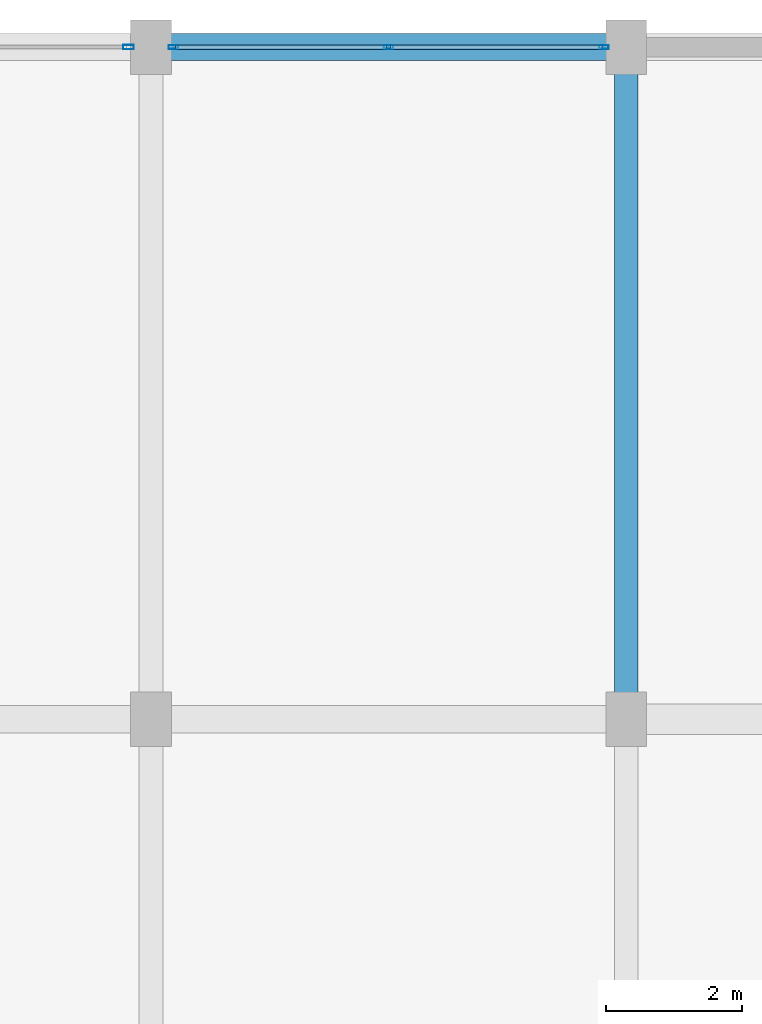
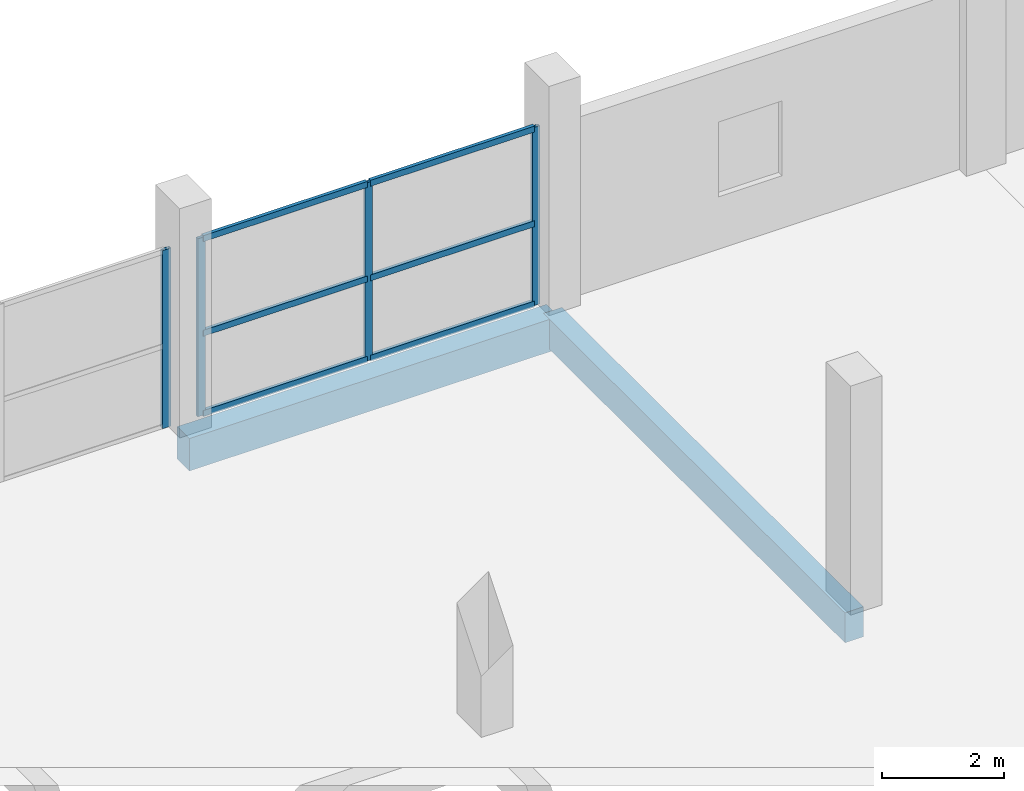
# One storey, part 28 of 49: 10 members, 2 beams, 2 elements without a shape of their own.
"""IFC4 building model written with IfcOpenShell, lengths in metres."""

from ifc_helpers import new_model, si_unit, direction, frame, origin, origin_2d, place, context, subcontext, project, spatial, rectangle, hollow_rectangle, extrude, material, layer, layer_set, material_profile, profile_set, type_object, element, aggregate, save


model = new_model("IFC4")

# Units and contexts
model_context = context("Model", 3, precision=1e-05, world=origin(), true_north=direction((0.0, 1.0)))
body_context = subcontext(model_context, "Body", "Model", "MODEL_VIEW")
ifc_project = project(units=[si_unit("LENGTHUNIT", "METRE"), si_unit("AREAUNIT", "SQUARE_METRE"), si_unit("VOLUMEUNIT", "CUBIC_METRE"), si_unit("PLANEANGLEUNIT", "RADIAN"), si_unit("MASSUNIT", "GRAM", prefix="KILO")], contexts=[model_context])

# Site, building, storey
site_placement = place(None, origin())
site = spatial("IfcSite", under=ifc_project, at=site_placement, CompositionType="ELEMENT")
building_placement = place(site_placement, origin())
building = spatial("IfcBuilding", under=site, at=building_placement, Name="Sillaruma Civic Art Gallery", CompositionType="ELEMENT")
storey_placement = place(building_placement, frame((0.0, 0.0, 33.14990234375)))
storey = spatial("IfcBuildingStorey", under=building, at=storey_placement, Name="L06", CompositionType="ELEMENT", Elevation=33.14990234375)

# Beams
ifc_material_1 = material(Name="Concrete H35 (35 MPa)", Category="concrete")
ifc_material_profile_1 = material_profile(ifc_material_1, rectangle(XDim=0.35009765625, YDim=0.60009765625, at=origin_2d()), Name="RCB350x600")
ifc_profile_set_1 = profile_set([ifc_material_profile_1], Name="Concrete H35 (35 MPa)")
beam_type_1 = type_object("IfcBeamType", Name="BM-BEAM-RCB350x600", PredefinedType="BEAM", material=ifc_profile_set_1)
beam_1_placement = place(storey_placement, frame((84.0, 89.10009765625, -0.539794921875), z_axis=(0.0, 1.0, 0.0), x_axis=(-1.0, 0.0, 0.0)))
element("IfcBeam", 1, at=beam_1_placement, inside=storey, type_object=beam_type_1, Name="Beam BM-06 (L05:J:10-11)", PredefinedType="BEAM", context=body_context, shape_type="SweptSolid", body=[
    extrude(rectangle(XDim=0.35009765625, YDim=0.60009765625, at=origin_2d()), origin(), (0.0, 0.0, 1.0), 9.89990234375),
])
ifc_material_profile_2 = material_profile(ifc_material_1, rectangle(XDim=0.39990234375, YDim=0.64990234375, at=origin_2d()), Name="RCB400x650")
ifc_profile_set_2 = profile_set([ifc_material_profile_2], Name="Concrete H35 (35 MPa)")
beam_type_2 = type_object("IfcBeamType", Name="BM-SPANDREL-RCB400x650", PredefinedType="SPANDREL", material=ifc_profile_set_2)
beam_2_placement = place(storey_placement, frame((77.0, 99.0, -0.56494140625), z_axis=(1.0, 0.0, 0.0), x_axis=(0.0, 1.0, 0.0)))
element("IfcBeam", 2, at=beam_2_placement, inside=storey, type_object=beam_type_2, Name="Beam BS-02 (L05:11:H-J)", PredefinedType="SPANDREL", context=body_context, shape_type="SweptSolid", body=[
    extrude(rectangle(XDim=0.39990234375, YDim=0.64990234375, at=origin_2d()), origin(), (0.0, 0.0, 1.0), 7.0),
])

# Curtain wall, members
ifc_material_2 = material(Name="Thermally Broken Extruded Aluminium 6063-T6", Category="aluminium")
ifc_layer_1 = layer(ifc_material_2, 0.139892578125, Name="Thermally Broken Extruded Aluminium 6063-T6")
ifc_layer_set_1 = layer_set([ifc_layer_1], Name="Thermally Broken Extruded Aluminium 6063-T6")
curtain_wall_type_1 = type_object("IfcCurtainWallType", Name="CW-UNI-42", PredefinedType="NOTDEFINED", material=ifc_layer_set_1)
curtain_wall_1_placement = place(storey_placement, origin())
curtain_wall_1 = element("IfcCurtainWall", 3, at=curtain_wall_1_placement, inside=storey, type_object=curtain_wall_type_1, Name="Unitised Curtain Wall CW-42 (CW-L06-N-3)", PredefinedType="NOTDEFINED")
ifc_material_profile_3 = material_profile(ifc_material_2, hollow_rectangle(XDim=0.06005859375, YDim=0.139892578125, WallThickness=0.00341796875, at=origin_2d()), Name="CWM60x140")
ifc_profile_set_3 = profile_set([ifc_material_profile_3], Name="Thermally Broken Extruded Aluminium 6063-T6")
member_type_1 = type_object("IfcMemberType", Name="MEM-MUL-CWM60x140", PredefinedType="MULLION", material=ifc_profile_set_3)
member_1_placement = place(storey_placement, frame((77.330078125, 99.0, 0.0), z_axis=(0.0, 0.0, 1.0), x_axis=(0.0, 1.0, 0.0)))
member_1 = element("IfcMember", 4, at=member_1_placement, type_object=member_type_1, Name="CW-42 mullion 1", PredefinedType="MULLION", context=body_context, shape_type="SweptSolid", body=[
    extrude(hollow_rectangle(XDim=0.06005859375, YDim=0.139892578125, WallThickness=0.00341796875, at=origin_2d()), origin(), (0.0, 0.0, 1.0), 3.570068359375),
])
member_2_placement = place(storey_placement, frame((80.5, 99.0, 0.0), z_axis=(0.0, 0.0, 1.0), x_axis=(0.0, 1.0, 0.0)))
member_2 = element("IfcMember", 5, at=member_2_placement, type_object=member_type_1, Name="CW-42 mullion 2", PredefinedType="MULLION", context=body_context, shape_type="SweptSolid", body=[
    extrude(hollow_rectangle(XDim=0.06005859375, YDim=0.139892578125, WallThickness=0.00341796875, at=origin_2d()), origin(), (0.0, 0.0, 1.0), 3.570068359375),
])
member_3_placement = place(storey_placement, frame((83.669921875, 99.0, 0.0), z_axis=(0.0, 0.0, 1.0), x_axis=(0.0, 1.0, 0.0)))
member_3 = element("IfcMember", 6, at=member_3_placement, type_object=member_type_1, Name="CW-42 mullion 3", PredefinedType="MULLION", context=body_context, shape_type="SweptSolid", body=[
    extrude(hollow_rectangle(XDim=0.06005859375, YDim=0.139892578125, WallThickness=0.00341796875, at=origin_2d()), origin(), (0.0, 0.0, 1.0), 3.570068359375),
])

# Curtain wall, member
ifc_layer_2 = layer(ifc_material_2, 0.159912109375, Name="Thermally Broken Extruded Aluminium 6063-T6")
ifc_layer_set_2 = layer_set([ifc_layer_2], Name="Thermally Broken Extruded Aluminium 6063-T6")
curtain_wall_type_2 = type_object("IfcCurtainWallType", Name="CW-UNI-37", PredefinedType="NOTDEFINED", material=ifc_layer_set_2)
curtain_wall_2_placement = place(storey_placement, origin())
curtain_wall_2 = element("IfcCurtainWall", 7, at=curtain_wall_2_placement, inside=storey, type_object=curtain_wall_type_2, Name="Unitised Curtain Wall CW-37 (CW-L06-N-2)", PredefinedType="NOTDEFINED")
ifc_material_profile_4 = material_profile(ifc_material_2, hollow_rectangle(XDim=0.06494140625, YDim=0.159912109375, WallThickness=0.00390625, at=origin_2d()), Name="CWM65x160")
ifc_profile_set_4 = profile_set([ifc_material_profile_4], Name="Thermally Broken Extruded Aluminium 6063-T6")
member_type_2 = type_object("IfcMemberType", Name="MEM-MUL-CWM65x160", PredefinedType="MULLION", material=ifc_profile_set_4)
member_4_placement = place(storey_placement, frame((76.66748046875, 99.0, 0.0), z_axis=(0.0, 0.0, 1.0), x_axis=(0.0, 1.0, 0.0)))
member_4 = element("IfcMember", 8, at=member_4_placement, type_object=member_type_2, Name="CW-37 mullion 3", PredefinedType="MULLION", context=body_context, shape_type="SweptSolid", body=[
    extrude(hollow_rectangle(XDim=0.06494140625, YDim=0.159912109375, WallThickness=0.00390625, at=origin_2d()), origin(), (0.0, 0.0, 1.0), 3.570068359375),
])
aggregate(curtain_wall_2, [member_4])

# Member
ifc_material_profile_5 = material_profile(ifc_material_2, hollow_rectangle(XDim=0.06494140625, YDim=0.1201171875, WallThickness=0.00341796875, at=origin_2d()), Name="CWT65x120")
ifc_profile_set_5 = profile_set([ifc_material_profile_5], Name="Thermally Broken Extruded Aluminium 6063-T6")
member_type_3 = type_object("IfcMemberType", Name="MEM-TRN-CWT65x120", PredefinedType="USERDEFINED", material=ifc_profile_set_5)
member_5_placement = place(storey_placement, frame((77.360107421875, 99.0, 0.03271484375), z_axis=(1.0, 0.0, 0.0), x_axis=(0.0, 1.0, 0.0)))
member_5 = element("IfcMember", 9, at=member_5_placement, type_object=member_type_3, Name="CW-42 transom 1.1", ObjectType="TRANSOM", PredefinedType="USERDEFINED", context=body_context, shape_type="SweptSolid", body=[
    extrude(hollow_rectangle(XDim=0.06494140625, YDim=0.1201171875, WallThickness=0.00341796875, at=origin_2d()), origin(), (0.0, 0.0, 1.0), 3.10986328125),
])

member_6_placement = place(storey_placement, frame((77.360107421875, 99.0, 1.642333984375), z_axis=(1.0, 0.0, 0.0), x_axis=(0.0, 1.0, 0.0)))
member_6 = element("IfcMember", 10, at=member_6_placement, type_object=member_type_3, Name="CW-42 transom 1.2", ObjectType="TRANSOM", PredefinedType="USERDEFINED", context=body_context, shape_type="SweptSolid", body=[
    extrude(hollow_rectangle(XDim=0.06494140625, YDim=0.1201171875, WallThickness=0.00341796875, at=origin_2d()), origin(), (0.0, 0.0, 1.0), 3.10986328125),
])

member_7_placement = place(storey_placement, frame((77.360107421875, 99.0, 3.53759765625), z_axis=(1.0, 0.0, 0.0), x_axis=(0.0, 1.0, 0.0)))
member_7 = element("IfcMember", 11, at=member_7_placement, type_object=member_type_3, Name="CW-42 transom 1.3", ObjectType="TRANSOM", PredefinedType="USERDEFINED", context=body_context, shape_type="SweptSolid", body=[
    extrude(hollow_rectangle(XDim=0.06494140625, YDim=0.1201171875, WallThickness=0.00341796875, at=origin_2d()), origin(), (0.0, 0.0, 1.0), 3.10986328125),
])

member_8_placement = place(storey_placement, frame((80.530029296875, 99.0, 0.03271484375), z_axis=(1.0, 0.0, 0.0), x_axis=(0.0, 1.0, 0.0)))
member_8 = element("IfcMember", 12, at=member_8_placement, type_object=member_type_3, Name="CW-42 transom 2.1", ObjectType="TRANSOM", PredefinedType="USERDEFINED", context=body_context, shape_type="SweptSolid", body=[
    extrude(hollow_rectangle(XDim=0.06494140625, YDim=0.1201171875, WallThickness=0.00341796875, at=origin_2d()), origin(), (0.0, 0.0, 1.0), 3.10986328125),
])

member_9_placement = place(storey_placement, frame((80.530029296875, 99.0, 1.642333984375), z_axis=(1.0, 0.0, 0.0), x_axis=(0.0, 1.0, 0.0)))
member_9 = element("IfcMember", 13, at=member_9_placement, type_object=member_type_3, Name="CW-42 transom 2.2", ObjectType="TRANSOM", PredefinedType="USERDEFINED", context=body_context, shape_type="SweptSolid", body=[
    extrude(hollow_rectangle(XDim=0.06494140625, YDim=0.1201171875, WallThickness=0.00341796875, at=origin_2d()), origin(), (0.0, 0.0, 1.0), 3.10986328125),
])

member_10_placement = place(storey_placement, frame((80.530029296875, 99.0, 3.53759765625), z_axis=(1.0, 0.0, 0.0), x_axis=(0.0, 1.0, 0.0)))
member_10 = element("IfcMember", 14, at=member_10_placement, type_object=member_type_3, Name="CW-42 transom 2.3", ObjectType="TRANSOM", PredefinedType="USERDEFINED", context=body_context, shape_type="SweptSolid", body=[
    extrude(hollow_rectangle(XDim=0.06494140625, YDim=0.1201171875, WallThickness=0.00341796875, at=origin_2d()), origin(), (0.0, 0.0, 1.0), 3.10986328125),
])

aggregate(curtain_wall_1, [member_1, member_2, member_3, member_5, member_6, member_7, member_8, member_9, member_10])

save(model, "model.ifc")
